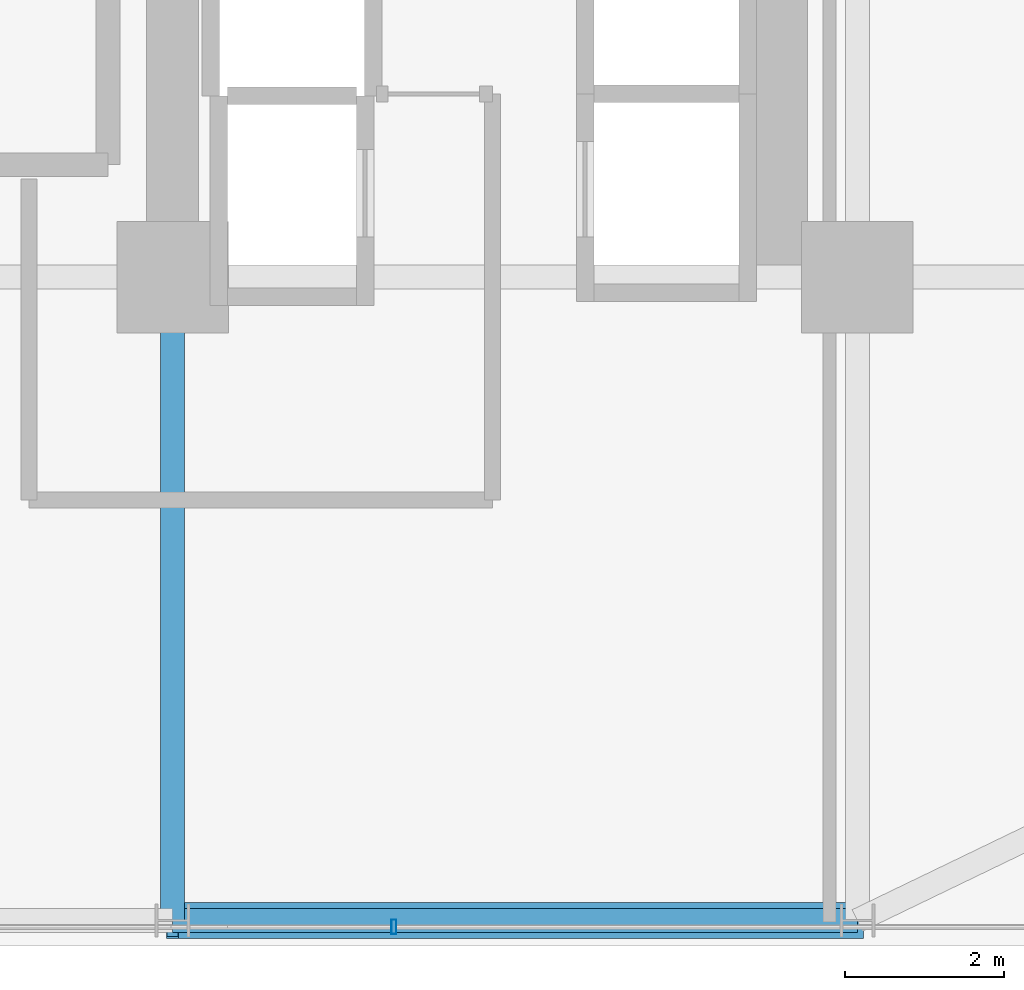
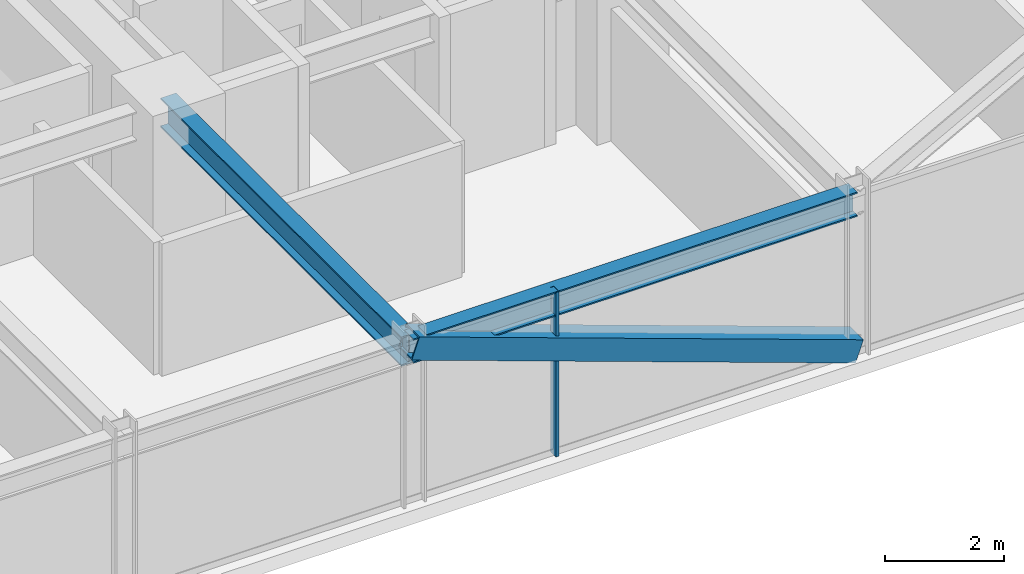
# One storey, part 12 of 35: 2 beams, 2 members, 1 element without a shape of its own.
"""IFC4 building model written with IfcOpenShell, lengths in metres."""

from ifc_helpers import new_model, si_unit, direction, frame, origin, origin_2d, place, context, subcontext, project, spatial, hollow_rectangle, i_section, extrude, source, transform, mapped, material, material_profile, profile_set, type_object, element, aggregate, save


model = new_model("IFC4")

# Units and contexts
model_context = context("Model", 3, precision=1e-05, world=origin(), true_north=direction((0.0, 1.0)))
body_context = subcontext(model_context, "Body", "Model", "MODEL_VIEW")
ifc_project = project(units=[si_unit("LENGTHUNIT", "METRE"), si_unit("AREAUNIT", "SQUARE_METRE"), si_unit("VOLUMEUNIT", "CUBIC_METRE"), si_unit("PLANEANGLEUNIT", "RADIAN"), si_unit("MASSUNIT", "GRAM", prefix="KILO")], contexts=[model_context])

# Site, building, storey
site_placement = place(None, origin())
site = spatial("IfcSite", under=ifc_project, at=site_placement, CompositionType="ELEMENT")
building_placement = place(site_placement, origin())
building = spatial("IfcBuilding", under=site, at=building_placement, Name="Nahalor Promenade Grand Hotel", CompositionType="ELEMENT")
storey_placement = place(building_placement, frame((0.0, 0.0, 39.699951171875)))
storey = spatial("IfcBuildingStorey", under=building, at=storey_placement, Name="L08", CompositionType="ELEMENT", Elevation=39.699951171875)

# Beams
ifc_material_1 = material(Name="Steel S355JR", Category="steel")
ifc_material_profile_1 = material_profile(ifc_material_1, i_section(OverallWidth=0.3, OverallDepth=0.5, WebThickness=0.0145, FlangeThickness=0.028, at=origin_2d()), Name="HEB 500")
ifc_profile_set_1 = profile_set([ifc_material_profile_1], Name="Steel S355JR")
beam_type_1 = type_object("IfcBeamType", Name="Beam-Spandrel-HEB500", PredefinedType="SPANDREL", material=ifc_profile_set_1)
shared_shape_1 = source(origin(), body_context, "Body", "SweptSolid", [
    extrude(i_section(OverallWidth=0.3, OverallDepth=0.5, WebThickness=0.0145, FlangeThickness=0.028, at=origin_2d()), origin(), (0.0, 0.0, 1.0), 8.60009765625),
])
beam_1_placement = place(storey_placement, frame((8.39990234375, -25.080078125, 3.1201171875), z_axis=(1.0, 0.0, 0.0), x_axis=(0.0, 1.0, 0.0)))
element("IfcBeam", 1, at=beam_1_placement, inside=storey, type_object=beam_type_1, Name="BM-L08-SP-S-4", PredefinedType="SPANDREL", context=body_context, shape_type="MappedRepresentation", body=[
    mapped(shared_shape_1, transform((0.0, 0.0, 0.0), scale=1.0)),
])
ifc_material_profile_2 = material_profile(ifc_material_1, i_section(OverallWidth=0.3, OverallDepth=0.6, WebThickness=0.0155, FlangeThickness=0.03, at=origin_2d()), Name="HEB 600")
ifc_profile_set_2 = profile_set([ifc_material_profile_2], Name="Steel S355JR")
beam_type_2 = type_object("IfcBeamType", Name="Beam-Girder-HEB600", PredefinedType="BEAM", material=ifc_profile_set_2)
shared_shape_2 = source(origin(), body_context, "Body", "SweptSolid", [
    extrude(i_section(OverallWidth=0.3, OverallDepth=0.6, WebThickness=0.0155, FlangeThickness=0.03, at=origin_2d()), origin(), (0.0, 0.0, 1.0), 8.080078125),
])
beam_2_placement = place(storey_placement, frame((8.39990234375, -25.080078125, 3.070068359375), z_axis=(0.0, 1.0, 0.0), x_axis=(-1.0, 0.0, 0.0)))
element("IfcBeam", 2, at=beam_2_placement, inside=storey, type_object=beam_type_2, Name="BM-L08-GY-4-0", PredefinedType="BEAM", context=body_context, shape_type="MappedRepresentation", body=[
    mapped(shared_shape_2, transform((0.0, 0.0, 0.0), scale=1.0)),
])

# Member
ifc_material_2 = material(Name="Steel S355J2", Category="steel")
ifc_material_profile_3 = material_profile(ifc_material_2, hollow_rectangle(XDim=0.45, YDim=0.45, WallThickness=0.025, at=origin_2d()), Name="SHS 450x450x25")
ifc_profile_set_3 = profile_set([ifc_material_profile_3], Name="Steel S355J2")
member_type_1 = type_object("IfcMemberType", Name="Mem-ExoBrace-SHS450", PredefinedType="BRACE", material=ifc_profile_set_3)
shared_shape_3 = source(origin(), body_context, "Body", "SweptSolid", [
    extrude(hollow_rectangle(XDim=0.45, YDim=0.45, WallThickness=0.025, at=origin_2d()), origin(), (0.0, 0.0, 1.0), 9.131591796875),
])
member_1_placement = place(storey_placement, frame((17.0, -25.080078125, 0.150146484375), z_axis=(-0.941798757288, 0.0, 0.336177186571), x_axis=(0.0, -1.0, 0.0)))
element("IfcMember", 3, at=member_1_placement, inside=storey, type_object=member_type_1, Name="EXO-L08-S-1", PredefinedType="BRACE", context=body_context, shape_type="MappedRepresentation", body=[
    mapped(shared_shape_3, transform((0.0, 0.0, 0.0), scale=1.0)),
])

# Curtain wall, member
ifc_material_3 = material(Name="Anodised Bronze Aluminium EN AW-6063 T6", Category="aluminium")
curtain_wall_type = type_object("IfcCurtainWallType", Name="CW2 Typical Hotel Flush Bronze Unitised Curtain Wall", PredefinedType="USERDEFINED", material=ifc_material_3)
curtain_wall_placement = place(storey_placement, origin())
curtain_wall = element("IfcCurtainWall", 4, at=curtain_wall_placement, inside=storey, type_object=curtain_wall_type, Name="L08 Curtain Wall CW-L08-S-1", ObjectType="UNITISED_CURTAIN_WALL", PredefinedType="USERDEFINED")
ifc_material_profile_4 = material_profile(ifc_material_3, hollow_rectangle(XDim=0.065, YDim=0.18, WallThickness=0.004, at=origin_2d()), Name="CWM 65x180x4")
ifc_profile_set_4 = profile_set([ifc_material_profile_4], Name="Anodised Bronze Aluminium EN AW-6063 T6")
member_type_2 = type_object("IfcMemberType", Name="CWM2 Typical Bronze Mullion 65x180", PredefinedType="MULLION", material=ifc_profile_set_4)
shared_shape_4 = source(origin(), body_context, "Body", "SweptSolid", [
    extrude(hollow_rectangle(XDim=0.065, YDim=0.18, WallThickness=0.004, at=origin_2d()), origin(), (0.0, 0.0, 1.0), 3.3701171875),
])
member_2_placement = place(storey_placement, frame((11.179931640625, -25.159912109375, 0.0), z_axis=(0.0, 0.0, 1.0), x_axis=(1.0, 0.0, 0.0)))
member_2 = element("IfcMember", 5, at=member_2_placement, type_object=member_type_2, Name="CW-L08-S-1 Mullion 3", PredefinedType="MULLION", context=body_context, shape_type="MappedRepresentation", body=[
    mapped(shared_shape_4, transform((0.0, 0.0, 0.0), scale=1.0)),
])
aggregate(curtain_wall, [member_2])

save(model, "model.ifc")
